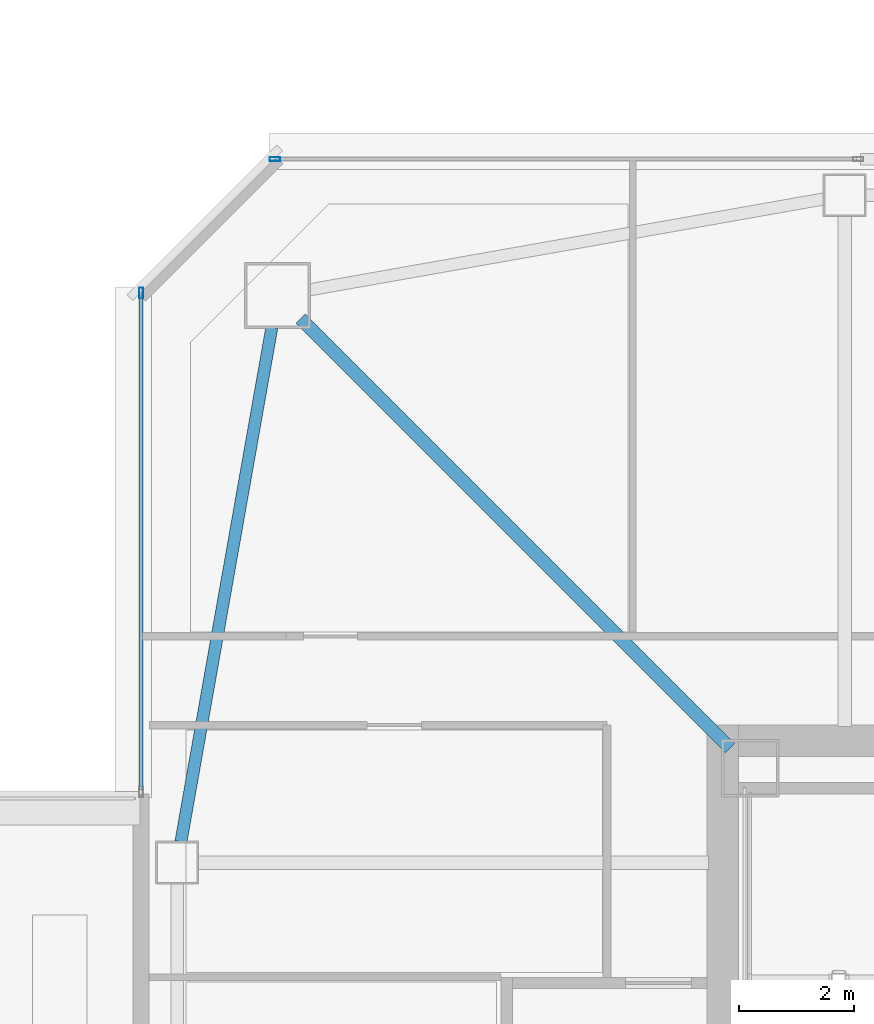
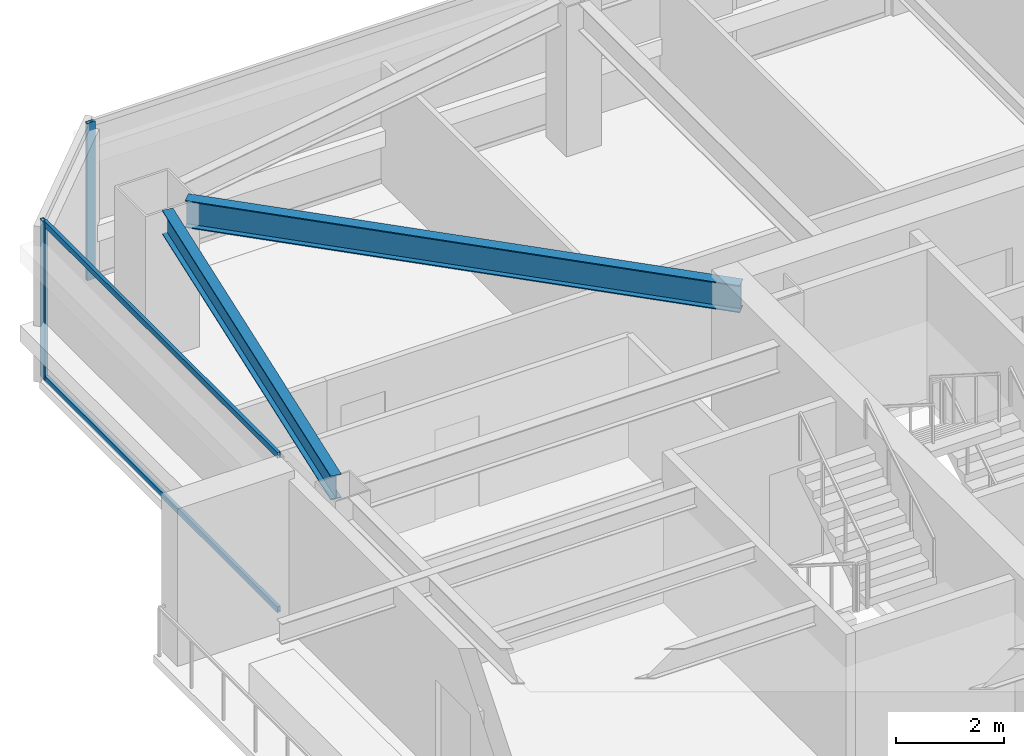
# One storey, part 11 of 43: 4 members, 2 beams, 2 elements without a shape of their own.
"""IFC4 building model written with IfcOpenShell, lengths in metres."""

from ifc_helpers import new_model, si_unit, direction, frame, origin, origin_2d, place, context, subcontext, project, spatial, hollow_rectangle, i_section, extrude, material, material_profile, profile_set, type_object, element, aggregate, save


model = new_model("IFC4")

# Units and contexts
model_context = context("Model", 3, precision=1e-05, world=origin(), true_north=direction((0.0, 1.0)))
body_context = subcontext(model_context, "Body", "Model", "MODEL_VIEW")
ifc_project = project(units=[si_unit("LENGTHUNIT", "METRE"), si_unit("AREAUNIT", "SQUARE_METRE"), si_unit("VOLUMEUNIT", "CUBIC_METRE"), si_unit("PLANEANGLEUNIT", "RADIAN"), si_unit("MASSUNIT", "GRAM", prefix="KILO")], contexts=[model_context])

# Site, building, storey
site_placement = place(None, origin())
site = spatial("IfcSite", under=ifc_project, at=site_placement, CompositionType="ELEMENT")
building_placement = place(site_placement, origin())
building = spatial("IfcBuilding", under=site, at=building_placement, Name="Tashvorn Skyway Center", CompositionType="ELEMENT")
storey_placement = place(building_placement, frame((0.0, 0.0, 188.949951171875)))
storey = spatial("IfcBuildingStorey", under=building, at=storey_placement, Name="L51", CompositionType="ELEMENT", Elevation=188.949951171875)

# Beams
ifc_material_1 = material(Name="Steel ASTM A992 Grade 50", Category="steel")
ifc_material_profile_1 = material_profile(ifc_material_1, i_section(OverallWidth=0.22998046875, OverallDepth=0.616943359375, WebThickness=0.01318359375, FlangeThickness=0.022216796875, at=origin_2d()), Name="W24X94")
ifc_profile_set_1 = profile_set([ifc_material_profile_1], Name="Steel ASTM A992 Grade 50")
beam_type_1 = type_object("IfcBeamType", Name="BM-BEAM-W24X94", PredefinedType="BEAM", material=ifc_profile_set_1)
beam_1_placement = place(storey_placement, frame((27.10302734375, 46.89697265625, 3.0615234375), z_axis=(0.707106781187, -0.707106781187, 0.0), x_axis=(0.707106781187, 0.707106781187, 0.0)))
element("IfcBeam", 1, at=beam_1_placement, inside=storey, type_object=beam_type_1, Name="Tower 1 L51 Primary Floor Girder MC-NW", PredefinedType="BEAM", context=body_context, shape_type="SweptSolid", body=[
    extrude(i_section(OverallWidth=0.22998046875, OverallDepth=0.616943359375, WebThickness=0.01318359375, FlangeThickness=0.022216796875, at=origin_2d()), origin(), (0.0, 0.0, 1.0), 10.6025390625),
])
ifc_material_profile_2 = material_profile(ifc_material_1, i_section(OverallWidth=0.2109375, OverallDepth=0.5390625, WebThickness=0.01171875, FlangeThickness=0.018798828125, at=origin_2d()), Name="W21X73")
ifc_profile_set_2 = profile_set([ifc_material_profile_2], Name="Steel ASTM A992 Grade 50")
beam_type_2 = type_object("IfcBeamType", Name="BM-SPANDREL-W21X73", PredefinedType="SPANDREL", material=ifc_profile_set_2)
beam_2_placement = place(storey_placement, frame((26.600830078125, 46.73876953125, 3.1005859375), z_axis=(-0.174074160933, -0.984732545667, 0.0), x_axis=(0.984732545667, -0.174074160933, 0.0)))
element("IfcBeam", 2, at=beam_2_placement, inside=storey, type_object=beam_type_2, Name="Tower 1 L51 Spandrel Beam 10", PredefinedType="SPANDREL", context=body_context, shape_type="SweptSolid", body=[
    extrude(i_section(OverallWidth=0.2109375, OverallDepth=0.5390625, WebThickness=0.01171875, FlangeThickness=0.018798828125, at=origin_2d()), origin(), (0.0, 0.0, 1.0), 9.113525390625),
])

# Curtain wall, member
ifc_material_2 = material(Name="Thermally broken bronze-anodized aluminium 6063-T6", Category="aluminium")
curtain_wall_type = type_object("IfcCurtainWallType", Name="CW-CW-Z4", PredefinedType="NOTDEFINED", material=ifc_material_2)
curtain_wall_1_placement = place(storey_placement, origin())
curtain_wall_1 = element("IfcCurtainWall", 3, at=curtain_wall_1_placement, inside=storey, type_object=curtain_wall_type, Name="Tower 1 L51 West Curtain Wall R", PredefinedType="NOTDEFINED")
ifc_material_profile_3 = material_profile(ifc_material_2, hollow_rectangle(XDim=0.070068359375, YDim=0.179931640625, WallThickness=0.00390625, at=origin_2d()), Name="ALU-MULL-70x180")
ifc_profile_set_3 = profile_set([ifc_material_profile_3], Name="Thermally broken bronze-anodized aluminium 6063-T6")
member_type_1 = type_object("IfcMemberType", Name="CWM-CW-Z4", PredefinedType="MULLION", material=ifc_profile_set_3)
member_1_placement = place(storey_placement, frame((24.320068359375, 47.344970703125, 0.0), z_axis=(0.0, 0.0, 1.0), x_axis=(-1.0, 0.0, 0.0)))
member_1 = element("IfcMember", 4, at=member_1_placement, type_object=member_type_1, Name="CW-Z4 mullion 2", PredefinedType="MULLION", context=body_context, shape_type="SweptSolid", body=[
    extrude(hollow_rectangle(XDim=0.070068359375, YDim=0.179931640625, WallThickness=0.00390625, at=origin_2d()), origin(), (0.0, 0.0, 1.0), 3.550048828125),
])

curtain_wall_2_placement = place(storey_placement, origin())
curtain_wall_2 = element("IfcCurtainWall", 5, at=curtain_wall_2_placement, inside=storey, type_object=curtain_wall_type, Name="Tower 1 L51 North Unitised Curtain Wall Glazing Group 1", PredefinedType="NOTDEFINED")
member_2_placement = place(storey_placement, frame((26.655029296875, 49.679931640625, 0.0), z_axis=(0.0, 0.0, 1.0), x_axis=(0.0, 1.0, 0.0)))
member_2 = element("IfcMember", 6, at=member_2_placement, type_object=member_type_1, Name="CW-Z4 mullion 1", PredefinedType="MULLION", context=body_context, shape_type="SweptSolid", body=[
    extrude(hollow_rectangle(XDim=0.070068359375, YDim=0.179931640625, WallThickness=0.00390625, at=origin_2d()), origin(), (0.0, 0.0, 1.0), 3.550048828125),
])
aggregate(curtain_wall_2, [member_2])

# Member
ifc_material_profile_4 = material_profile(ifc_material_2, hollow_rectangle(XDim=0.070068359375, YDim=0.1298828125, WallThickness=0.00390625, at=origin_2d()), Name="ALU-TRAN-70x130")
ifc_profile_set_4 = profile_set([ifc_material_profile_4], Name="Thermally broken bronze-anodized aluminium 6063-T6")
member_type_2 = type_object("IfcMemberType", Name="CWT-CW-Z4", PredefinedType="USERDEFINED", material=ifc_profile_set_4)
member_3_placement = place(storey_placement, frame((24.320068359375, 38.669921875, 0.03515625), z_axis=(0.0, 1.0, 0.0), x_axis=(-1.0, 0.0, 0.0)))
member_3 = element("IfcMember", 7, at=member_3_placement, type_object=member_type_2, Name="CW-Z4 transom 1.1", ObjectType="TRANSOM", PredefinedType="USERDEFINED", context=body_context, shape_type="SweptSolid", body=[
    extrude(hollow_rectangle(XDim=0.070068359375, YDim=0.1298828125, WallThickness=0.00390625, at=origin_2d()), origin(), (0.0, 0.0, 1.0), 8.64013671875),
])

member_4_placement = place(storey_placement, frame((24.320068359375, 38.669921875, 3.51513671875), z_axis=(0.0, 1.0, 0.0), x_axis=(-1.0, 0.0, 0.0)))
member_4 = element("IfcMember", 8, at=member_4_placement, type_object=member_type_2, Name="CW-Z4 transom 1.2", ObjectType="TRANSOM", PredefinedType="USERDEFINED", context=body_context, shape_type="SweptSolid", body=[
    extrude(hollow_rectangle(XDim=0.070068359375, YDim=0.1298828125, WallThickness=0.00390625, at=origin_2d()), origin(), (0.0, 0.0, 1.0), 8.64013671875),
])

aggregate(curtain_wall_1, [member_1, member_3, member_4])

save(model, "model.ifc")
